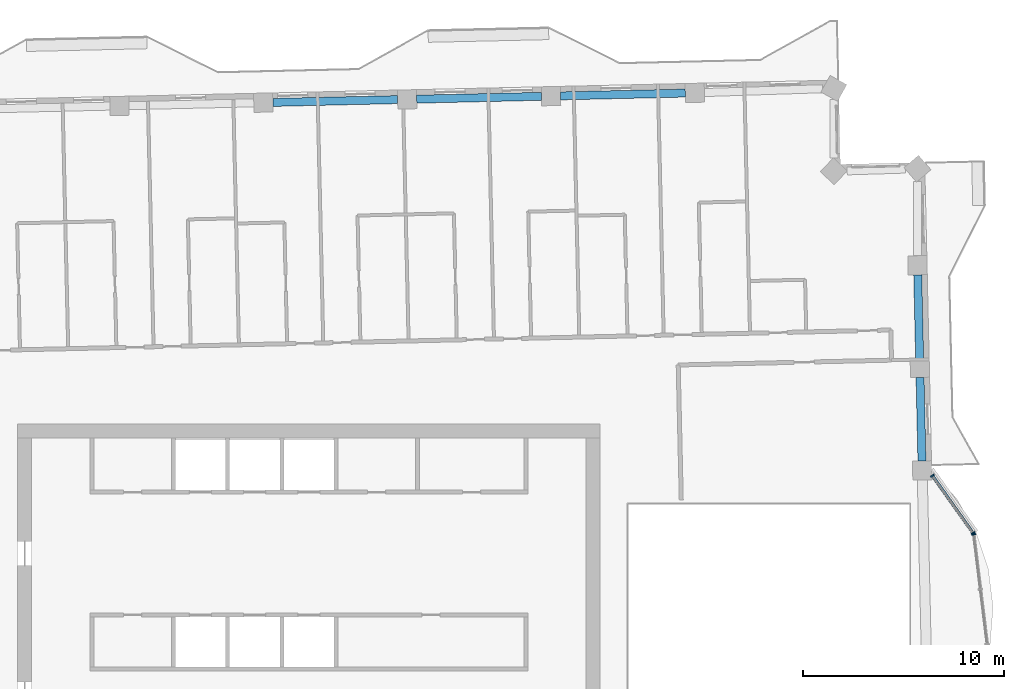
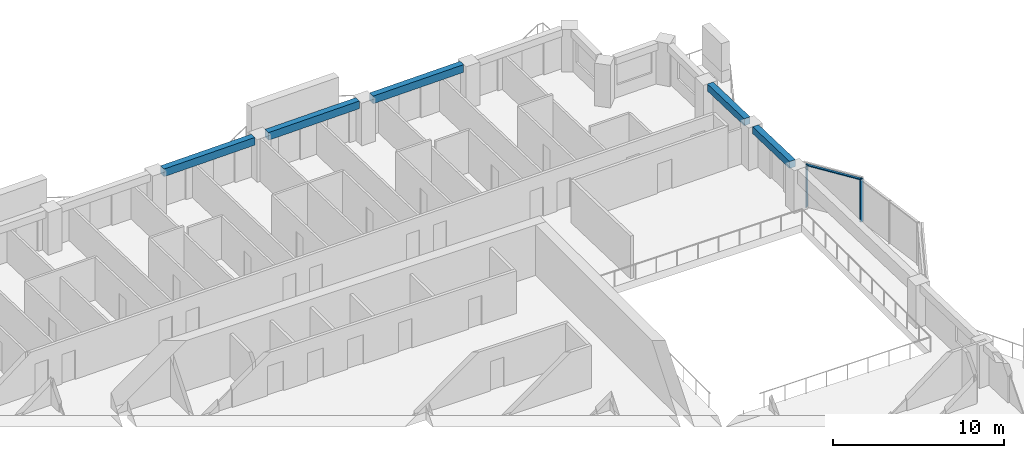
# One storey, part 4 of 19: 5 beams, 4 members, 2 elements without a shape of their own.
"""IFC4 building model written with IfcOpenShell, lengths in metres."""

from ifc_helpers import new_model, si_unit, direction, frame, origin, origin_2d, place, context, subcontext, project, spatial, rectangle, extrude, material, material_profile, profile_set, type_object, element, aggregate, save


model = new_model("IFC4")

# Units and contexts
model_context = context("Model", 3, precision=1e-05, world=origin(), true_north=direction((0.0, 1.0)))
body_context = subcontext(model_context, "Body", "Model", "MODEL_VIEW")
ifc_project = project(units=[si_unit("LENGTHUNIT", "METRE"), si_unit("AREAUNIT", "SQUARE_METRE"), si_unit("VOLUMEUNIT", "CUBIC_METRE"), si_unit("PLANEANGLEUNIT", "RADIAN"), si_unit("MASSUNIT", "GRAM", prefix="KILO")], contexts=[model_context])

# Site, building, storey
site_placement = place(None, origin())
site = spatial("IfcSite", under=ifc_project, at=site_placement, CompositionType="ELEMENT")
building_placement = place(site_placement, origin())
building = spatial("IfcBuilding", under=site, at=building_placement, Name="Mangrove Gate Tower", CompositionType="ELEMENT")
storey_placement = place(building_placement, frame((0.0, 0.0, 297.89990234375)))
storey = spatial("IfcBuildingStorey", under=building, at=storey_placement, Name="L76", CompositionType="ELEMENT", Elevation=297.89990234375)

# Curtain wall, member
ifc_material_1 = material(Name="Aluminium and glass curtain wall", Category="aluminium")
curtain_wall_type = type_object("IfcCurtainWallType", Name="Atrium garden-court glazing wall", PredefinedType="NOTDEFINED", material=ifc_material_1)
curtain_wall_1_placement = place(storey_placement, origin())
curtain_wall_1 = element("IfcCurtainWall", 1, at=curtain_wall_1_placement, inside=storey, type_object=curtain_wall_type, Name="Atrium garden-court glazing E1f2", PredefinedType="NOTDEFINED")
ifc_material_2 = material(Name="Aluminium alloy 6063-T6", Category="aluminium")
ifc_material_profile_1 = material_profile(ifc_material_2, rectangle(XDim=0.070068359375, YDim=0.199951171875, at=origin_2d()))
ifc_profile_set_1 = profile_set([ifc_material_profile_1], Name="Aluminium alloy 6063-T6")
member_type_1 = type_object("IfcMemberType", Name="Atrium garden-court glazing mullion 70x200", PredefinedType="MULLION", material=ifc_profile_set_1)
member_1_placement = place(storey_placement, frame((33.087158203125, 6.0029296875, 0.0), z_axis=(0.0, 0.0, 1.0), x_axis=(-0.122172285885, 0.992508908051, 0.0)))
member_1 = element("IfcMember", 2, at=member_1_placement, type_object=member_type_1, Name="CWA mullion 3", PredefinedType="MULLION", context=body_context, shape_type="SweptSolid", body=[
    extrude(rectangle(XDim=0.070068359375, YDim=0.199951171875, at=origin_2d()), origin(), (0.0, 0.0, 1.0), 3.050048828125),
])
aggregate(curtain_wall_1, [member_1])

# Curtain wall, members
curtain_wall_2_placement = place(storey_placement, origin())
curtain_wall_2 = element("IfcCurtainWall", 3, at=curtain_wall_2_placement, inside=storey, type_object=curtain_wall_type, Name="Atrium garden-court glazing E1f3", PredefinedType="NOTDEFINED")
member_2_placement = place(storey_placement, frame((33.062744140625, 6.06640625, 0.0), z_axis=(0.0, 0.0, 1.0), x_axis=(-0.578135022674, 0.815941110349, 0.0)))
member_2 = element("IfcMember", 4, at=member_2_placement, type_object=member_type_1, Name="CWA mullion 1", PredefinedType="MULLION", context=body_context, shape_type="SweptSolid", body=[
    extrude(rectangle(XDim=0.070068359375, YDim=0.199951171875, at=origin_2d()), origin(), (0.0, 0.0, 1.0), 3.050048828125),
])
member_3_placement = place(storey_placement, frame((31.039794921875, 8.92138671875, 0.0), z_axis=(0.0, 0.0, 1.0), x_axis=(-0.578135022674, 0.815941110349, 0.0)))
member_3 = element("IfcMember", 5, at=member_3_placement, type_object=member_type_1, Name="CWA mullion 2", PredefinedType="MULLION", context=body_context, shape_type="SweptSolid", body=[
    extrude(rectangle(XDim=0.070068359375, YDim=0.199951171875, at=origin_2d()), origin(), (0.0, 0.0, 1.0), 3.050048828125),
])
ifc_material_3 = material(Name="Aluminium alloy 6063-T6", Category="aluminium")
ifc_material_profile_2 = material_profile(ifc_material_3, rectangle(XDim=0.070068359375, YDim=0.14990234375, at=origin_2d()))
ifc_profile_set_2 = profile_set([ifc_material_profile_2], Name="Aluminium alloy 6063-T6")
member_type_2 = type_object("IfcMemberType", Name="Atrium garden-court glazing transom 70x150", PredefinedType="USERDEFINED", material=ifc_profile_set_2)
member_4_placement = place(storey_placement, frame((33.04248046875, 6.094970703125, 3.01513671875), z_axis=(-0.578135862494, 0.815940515294, 0.0), x_axis=(0.0, 0.0, 1.0)))
member_4 = element("IfcMember", 6, at=member_4_placement, type_object=member_type_2, Name="CWA transom 1.2", ObjectType="TRANSOM", PredefinedType="USERDEFINED", context=body_context, shape_type="SweptSolid", body=[
    extrude(rectangle(XDim=0.070068359375, YDim=0.14990234375, at=origin_2d()), origin(), (0.0, 0.0, 1.0), 3.428955078125),
])
aggregate(curtain_wall_2, [member_2, member_3, member_4])

# Beams
ifc_material_4 = material(Name="Concrete C50/60", Category="concrete")
ifc_material_profile_3 = material_profile(ifc_material_4, rectangle(XDim=0.39990234375, YDim=0.5, at=origin_2d()))
ifc_profile_set_3 = profile_set([ifc_material_profile_3], Name="Concrete C50/60")
beam_type_1 = type_object("IfcBeamType", Name="Edge beam RC 400x500 C50/60", PredefinedType="BEAM", material=ifc_profile_set_3)
for number, where, z_axis, x_axis, name in (
    (7, (30.518310546875, 9.658203125, 2.800048828125), (-0.022486678156, 0.999747142684, 0.0), (-0.999747142684, -0.022486678156, 0.0), "Edge beam L76 17"),
    (8, (30.4033203125, 14.76513671875, 2.800048828125), (-0.022721405353, 0.999741835545, 0.0), (-0.999741835545, -0.022721405353, 0.0), "Edge beam L76 18"),
):
    element("IfcBeam", number, at=place(storey_placement, frame(where, z_axis=z_axis, x_axis=x_axis)), inside=storey, type_object=beam_type_1, Name=name, PredefinedType="BEAM", context=body_context, shape_type="SweptSolid", body=[
        extrude(rectangle(XDim=0.39990234375, YDim=0.5, at=origin_2d()), origin(), (0.0, 0.0, 1.0), 4.158203125),
    ])
ifc_material_5 = material(Name="Concrete C50/60", Category="concrete")
ifc_material_profile_4 = material_profile(ifc_material_5, rectangle(XDim=0.39990234375, YDim=0.550048828125, at=origin_2d()))
ifc_profile_set_4 = profile_set([ifc_material_profile_4], Name="Concrete C50/60")
beam_type_2 = type_object("IfcBeamType", Name="Edge beam RC 400x550 C50/60", PredefinedType="BEAM", material=ifc_profile_set_4)
beam_1_placement = place(storey_placement, frame((18.73779296875, 27.970458984375, 2.775146484375), z_axis=(-0.999743719116, -0.022638376468, 0.0), x_axis=(0.022638376468, -0.999743719116, 0.0)))
element("IfcBeam", 9, at=beam_1_placement, inside=storey, type_object=beam_type_2, Name="Edge beam L76 23", PredefinedType="BEAM", context=body_context, shape_type="SweptSolid", body=[
    extrude(rectangle(XDim=0.39990234375, YDim=0.550048828125, at=origin_2d()), origin(), (0.0, 0.0, 1.0), 6.2119140625),
])
beam_2_placement = place(storey_placement, frame((11.577880859375, 27.808349609375, 2.775146484375), z_axis=(-0.999741125002, -0.022752647749, 0.0), x_axis=(0.022752647749, -0.999741125002, 0.0)))
element("IfcBeam", 10, at=beam_2_placement, inside=storey, type_object=beam_type_2, Name="Edge beam L76 24", PredefinedType="BEAM", context=body_context, shape_type="SweptSolid", body=[
    extrude(rectangle(XDim=0.39990234375, YDim=0.550048828125, at=origin_2d()), origin(), (0.0, 0.0, 1.0), 6.212890625),
])
beam_3_placement = place(storey_placement, frame((4.4169921875, 27.645263671875, 2.775146484375), z_axis=(-0.999744627938, -0.022598205876, 0.0), x_axis=(0.022598205876, -0.999744627938, 0.0)))
element("IfcBeam", 11, at=beam_3_placement, inside=storey, type_object=beam_type_2, Name="Edge beam L76 25", PredefinedType="BEAM", context=body_context, shape_type="SweptSolid", body=[
    extrude(rectangle(XDim=0.39990234375, YDim=0.550048828125, at=origin_2d()), origin(), (0.0, 0.0, 1.0), 6.2119140625),
])

save(model, "model.ifc")
